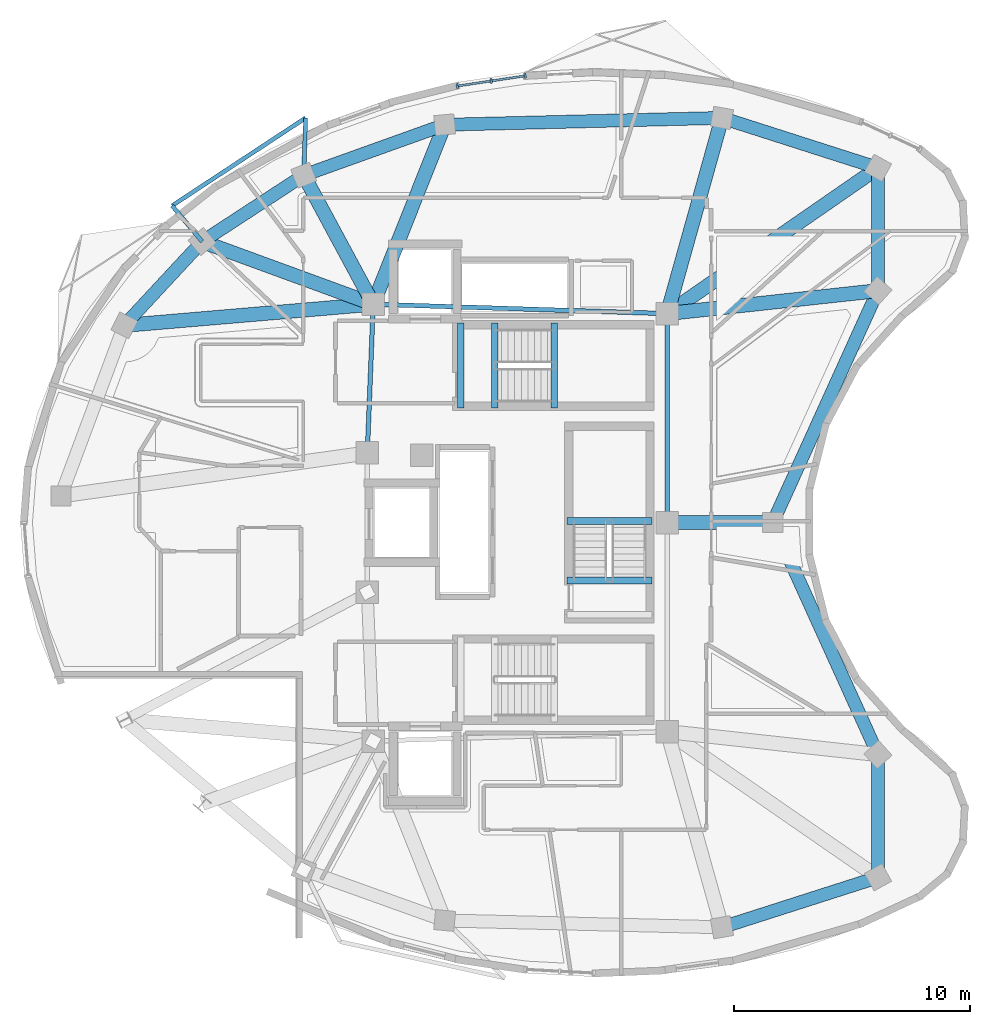
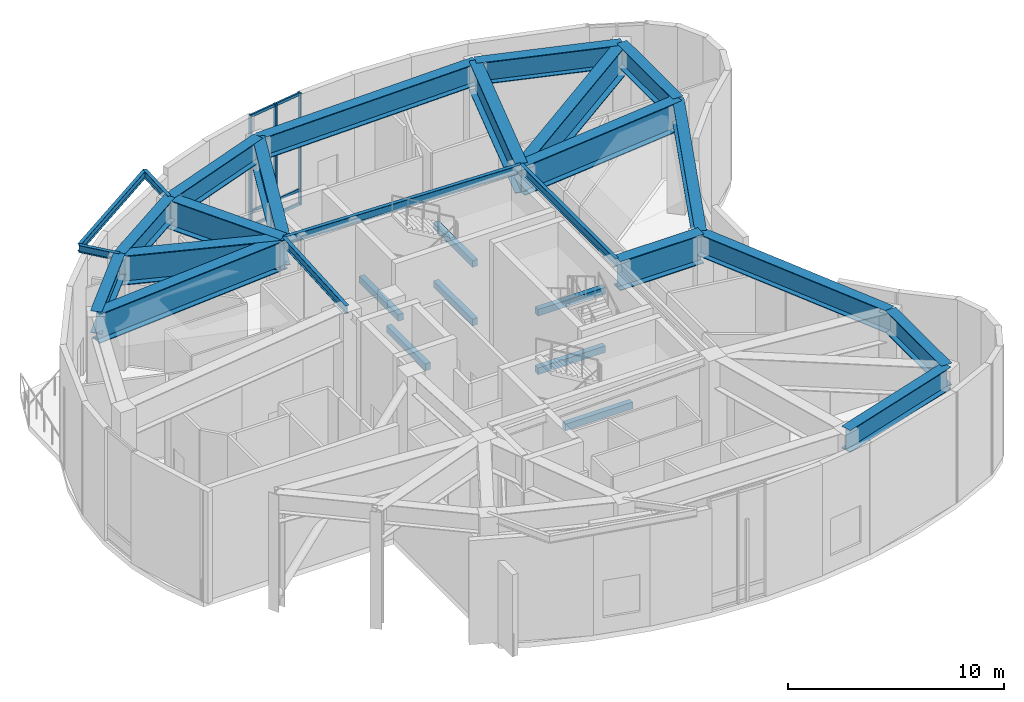
# One storey, part 3 of 12: 31 beams, 9 members, 1 element without a shape of its own.
"""IFC4 building model written with IfcOpenShell, lengths in metres."""

from ifc_helpers import new_model, si_unit, direction, frame, origin, origin_2d, place, context, subcontext, project, spatial, rectangle, i_section, extrude, material, layer, layer_set, material_profile, profile_set, type_object, element, aggregate, save


model = new_model("IFC4")

# Units and contexts
model_context = context("Model", 3, precision=1e-05, world=origin(), true_north=direction((0.0, 1.0)))
body_context = subcontext(model_context, "Body", "Model", "MODEL_VIEW")
ifc_project = project(units=[si_unit("LENGTHUNIT", "METRE"), si_unit("AREAUNIT", "SQUARE_METRE"), si_unit("VOLUMEUNIT", "CUBIC_METRE"), si_unit("PLANEANGLEUNIT", "RADIAN"), si_unit("MASSUNIT", "GRAM", prefix="KILO")], contexts=[model_context])

# Site, building, storey
site_placement = place(None, origin())
site = spatial("IfcSite", under=ifc_project, at=site_placement, CompositionType="ELEMENT")
building_placement = place(site_placement, origin())
building = spatial("IfcBuilding", under=site, at=building_placement, Name="Korentha Bioscience Tower", CompositionType="ELEMENT")
storey_placement = place(building_placement, frame((0.0, 0.0, 291.0)))
storey = spatial("IfcBuildingStorey", under=building, at=storey_placement, Name="L67", CompositionType="ELEMENT", Elevation=291.0)

# Beams
ifc_material_1 = material(Name="Concrete C50", Category="concrete")
ifc_material_profile_1 = material_profile(ifc_material_1, rectangle(XDim=0.280029296875, YDim=0.3798828125, at=origin_2d()), Name="Concrete C50")
ifc_profile_set_1 = profile_set([ifc_material_profile_1], Name="Concrete C50 (ST-HB380)")
beam_type_1 = type_object("IfcBeamType", Name="Concrete Stair Header Beam RC 280x380", PredefinedType="BEAM", material=ifc_profile_set_1)
for number, where, z_axis, x_axis, name in (
    (1, (30.25, 31.85009765625, -0.18994140625), (0.0, 1.0, 0.0), (-1.0, 0.0, 0.0), "L67 ST-1 Concrete Stair Header Beam"),
    (2, (32.77001953125, 31.85009765625, 1.4599609375), (0.0, 1.0, 0.0), (-1.0, 0.0, 0.0), "L67 ST-1 Half-Landing Header Beam 1"),
    (3, (28.800048828125, 31.85009765625, 3.110107421875), (0.0, 1.0, 0.0), (-1.0, 0.0, 0.0), "L67 ST-1 Half-Landing Header Beam 2"),
    (4, (32.77001953125, 31.85009765625, 4.760009765625), (0.0, 1.0, 0.0), (-1.0, 0.0, 0.0), "L67 ST-1 Half-Landing Header Beam 3"),
    (5, (36.89990234375, 24.550048828125, -0.18994140625), (-1.0, 0.0, 0.0), (0.0, -1.0, 0.0), "L67 ST-3 Concrete Stair Header Beam"),
    (6, (36.89990234375, 27.070068359375, 1.4599609375), (-1.0, 0.0, 0.0), (0.0, -1.0, 0.0), "L67 ST-3 Half-Landing Header Beam 1"),
    (7, (36.89990234375, 27.070068359375, 4.760009765625), (-1.0, 0.0, 0.0), (0.0, -1.0, 0.0), "L67 ST-3 Half-Landing Header Beam 3"),
):
    element("IfcBeam", number, at=place(storey_placement, frame(where, z_axis=z_axis, x_axis=x_axis)), inside=storey, type_object=beam_type_1, Name=name, PredefinedType="BEAM", context=body_context, shape_type="SweptSolid", body=[
        extrude(rectangle(XDim=0.280029296875, YDim=0.3798828125, at=origin_2d()), origin(), (0.0, 0.0, 1.0), 3.599853515625),
    ])
ifc_material_2 = material(Name="Steel S355", Category="steel")
ifc_material_profile_2 = material_profile(ifc_material_2, i_section(OverallWidth=0.550048828125, OverallDepth=1.25, WebThickness=0.02392578125, FlangeThickness=0.0400390625, at=origin_2d()), Name="Steel S355")
ifc_profile_set_2 = profile_set([ifc_material_profile_2], Name="Steel S355 (TG-03)")
beam_type_2 = type_object("IfcBeamType", Name="Crown Step Transfer Girder CVS 1250x510", PredefinedType="USERDEFINED", material=ifc_profile_set_2)
beam_1_placement = place(storey_placement, frame((46.476318359375, 42.022705078125, 5.675048828125), z_axis=(-0.952374693577, 0.304930226503, 0.0), x_axis=(-0.304930226503, -0.952374693577, 0.0)))
element("IfcBeam", 8, at=beam_1_placement, inside=storey, type_object=beam_type_2, Name="L67 Perimeter Spandrel Girder 01", ObjectType="TRANSFER_GIRDER", PredefinedType="USERDEFINED", context=body_context, shape_type="SweptSolid", body=[
    extrude(i_section(OverallWidth=0.550048828125, OverallDepth=1.25, WebThickness=0.02392578125, FlangeThickness=0.0400390625, at=origin_2d()), origin(), (0.0, 0.0, 1.0), 6.9375),
])
beam_2_placement = place(storey_placement, frame((39.869140625, 44.13818359375, 5.675048828125), z_axis=(-0.999696680128, -0.024628189974, 0.0), x_axis=(0.024628189974, -0.999696680128, 0.0)))
element("IfcBeam", 9, at=beam_2_placement, inside=storey, type_object=beam_type_2, Name="L67 Perimeter Spandrel Girder 02", ObjectType="TRANSFER_GIRDER", PredefinedType="USERDEFINED", context=body_context, shape_type="SweptSolid", body=[
    extrude(i_section(OverallWidth=0.550048828125, OverallDepth=1.25, WebThickness=0.02392578125, FlangeThickness=0.0400390625, at=origin_2d()), origin(), (0.0, 0.0, 1.0), 11.7470703125),
])
beam_3_placement = place(storey_placement, frame((28.125732421875, 43.848876953125, 5.675048828125), z_axis=(-0.941344019681, -0.337448420668, 0.0), x_axis=(0.337448420668, -0.941344019681, 0.0)))
element("IfcBeam", 10, at=beam_3_placement, inside=storey, type_object=beam_type_2, Name="L67 Perimeter Spandrel Girder 03", ObjectType="TRANSFER_GIRDER", PredefinedType="USERDEFINED", context=body_context, shape_type="SweptSolid", body=[
    extrude(i_section(OverallWidth=0.550048828125, OverallDepth=1.25, WebThickness=0.02392578125, FlangeThickness=0.0400390625, at=origin_2d()), origin(), (0.0, 0.0, 1.0), 6.340576171875),
])
beam_4_placement = place(storey_placement, frame((22.156982421875, 41.709228515625, 5.675048828125), z_axis=(-0.837370389089, -0.546635922234, 0.0), x_axis=(0.546635922234, -0.837370389089, 0.0)))
element("IfcBeam", 11, at=beam_4_placement, inside=storey, type_object=beam_type_2, Name="L67 Perimeter Spandrel Girder 04", ObjectType="TRANSFER_GIRDER", PredefinedType="USERDEFINED", context=body_context, shape_type="SweptSolid", body=[
    extrude(i_section(OverallWidth=0.550048828125, OverallDepth=1.25, WebThickness=0.02392578125, FlangeThickness=0.0400390625, at=origin_2d()), origin(), (0.0, 0.0, 1.0), 5.137451171875),
])
beam_5_placement = place(storey_placement, frame((17.85498046875, 38.90087890625, 5.675048828125), z_axis=(-0.680655927259, -0.732603240976, 0.0), x_axis=(0.732603240976, -0.680655927259, 0.0)))
element("IfcBeam", 12, at=beam_5_placement, inside=storey, type_object=beam_type_2, Name="L67 Perimeter Spandrel Girder 05", ObjectType="TRANSFER_GIRDER", PredefinedType="USERDEFINED", context=body_context, shape_type="SweptSolid", body=[
    extrude(i_section(OverallWidth=0.550048828125, OverallDepth=1.25, WebThickness=0.02392578125, FlangeThickness=0.0400390625, at=origin_2d()), origin(), (0.0, 0.0, 1.0), 4.845458984375),
])
beam_6_placement = place(storey_placement, frame((39.869140625, 9.86181640625, 5.675048828125), z_axis=(0.952374693577, 0.304930226503, 0.0), x_axis=(-0.304930226503, 0.952374693577, 0.0)))
element("IfcBeam", 13, at=beam_6_placement, inside=storey, type_object=beam_type_2, Name="L67 Perimeter Spandrel Girder 12", ObjectType="TRANSFER_GIRDER", PredefinedType="USERDEFINED", context=body_context, shape_type="SweptSolid", body=[
    extrude(i_section(OverallWidth=0.550048828125, OverallDepth=1.25, WebThickness=0.02392578125, FlangeThickness=0.0400390625, at=origin_2d()), origin(), (0.0, 0.0, 1.0), 6.9375),
])
beam_7_placement = place(storey_placement, frame((46.476318359375, 11.977294921875, 5.675048828125), z_axis=(-0.00032863848, 0.999999945998, 0.0), x_axis=(-0.999999945998, -0.00032863848, 0.0)))
element("IfcBeam", 14, at=beam_7_placement, inside=storey, type_object=beam_type_2, Name="L67 Perimeter Spandrel Girder 13", ObjectType="TRANSFER_GIRDER", PredefinedType="USERDEFINED", context=body_context, shape_type="SweptSolid", body=[
    extrude(i_section(OverallWidth=0.550048828125, OverallDepth=1.25, WebThickness=0.02392578125, FlangeThickness=0.0400390625, at=origin_2d()), origin(), (0.0, 0.0, 1.0), 5.2001953125),
])
for number, where, z_axis, x_axis, name in (
    (15, (46.474609375, 17.177490234375, 5.675048828125), (-0.413001207092, 0.910730477661, 0.0), (-0.910730477661, -0.413001207092, 0.0), "L67 Perimeter Spandrel Girder 14"),
    (16, (42.020263671875, 27.0, 5.675048828125), (0.413001207092, 0.910730477661, 0.0), (-0.910730477661, 0.413001207092, 0.0), "L67 Perimeter Spandrel Girder 15"),
):
    element("IfcBeam", number, at=place(storey_placement, frame(where, z_axis=z_axis, x_axis=x_axis)), inside=storey, type_object=beam_type_2, Name=name, ObjectType="TRANSFER_GIRDER", PredefinedType="USERDEFINED", context=body_context, shape_type="SweptSolid", body=[
        extrude(i_section(OverallWidth=0.550048828125, OverallDepth=1.25, WebThickness=0.02392578125, FlangeThickness=0.0400390625, at=origin_2d()), origin(), (0.0, 0.0, 1.0), 10.785400390625),
    ])
beam_8_placement = place(storey_placement, frame((46.474609375, 36.822509765625, 5.675048828125), z_axis=(0.00032863848, 0.999999945998, 0.0), x_axis=(-0.999999945998, 0.00032863848, 0.0)))
element("IfcBeam", 17, at=beam_8_placement, inside=storey, type_object=beam_type_2, Name="L67 Perimeter Spandrel Girder 16", ObjectType="TRANSFER_GIRDER", PredefinedType="USERDEFINED", context=body_context, shape_type="SweptSolid", body=[
    extrude(i_section(OverallWidth=0.550048828125, OverallDepth=1.25, WebThickness=0.02392578125, FlangeThickness=0.0400390625, at=origin_2d()), origin(), (0.0, 0.0, 1.0), 5.2001953125),
])
ifc_material_profile_3 = material_profile(ifc_material_2, i_section(OverallWidth=0.60009765625, OverallDepth=1.64990234375, WebThickness=0.02587890625, FlangeThickness=0.0439453125, at=origin_2d()), Name="Steel S355")
ifc_profile_set_3 = profile_set([ifc_material_profile_3], Name="Steel S355 (TG-04)")
beam_type_3 = type_object("IfcBeamType", Name="Deep Setback Transfer Girder CVS 1650x620", PredefinedType="USERDEFINED", material=ifc_profile_set_3)
beam_9_placement = place(storey_placement, frame((37.550048828125, 35.85009765625, 5.47509765625), z_axis=(0.822499007629, 0.56876654477, 0.0), x_axis=(-0.56876654477, 0.822499007629, 0.0)))
element("IfcBeam", 18, at=beam_9_placement, inside=storey, type_object=beam_type_3, Name="L67 Radial Transfer Girder 01", ObjectType="TRANSFER_GIRDER", PredefinedType="USERDEFINED", context=body_context, shape_type="SweptSolid", body=[
    extrude(i_section(OverallWidth=0.60009765625, OverallDepth=1.64990234375, WebThickness=0.02587890625, FlangeThickness=0.0439453125, at=origin_2d()), origin(), (0.0, 0.0, 1.0), 10.8525390625),
])
beam_10_placement = place(storey_placement, frame((37.550048828125, 35.85009765625, 5.47509765625), z_axis=(0.269460517512, 0.963011437888, 0.0), x_axis=(-0.963011437888, 0.269460517512, 0.0)))
element("IfcBeam", 19, at=beam_10_placement, inside=storey, type_object=beam_type_3, Name="L67 Radial Transfer Girder 02", ObjectType="TRANSFER_GIRDER", PredefinedType="USERDEFINED", context=body_context, shape_type="SweptSolid", body=[
    extrude(i_section(OverallWidth=0.60009765625, OverallDepth=1.64990234375, WebThickness=0.02587890625, FlangeThickness=0.0439453125, at=origin_2d()), origin(), (0.0, 0.0, 1.0), 8.6064453125),
])
beam_11_placement = place(storey_placement, frame((25.10009765625, 36.25, 5.47509765625), z_axis=(0.369923475736, 0.929062227248, 0.0), x_axis=(-0.929062227248, 0.369923475736, 0.0)))
element("IfcBeam", 20, at=beam_11_placement, inside=storey, type_object=beam_type_3, Name="L67 Radial Transfer Girder 03", ObjectType="TRANSFER_GIRDER", PredefinedType="USERDEFINED", context=body_context, shape_type="SweptSolid", body=[
    extrude(i_section(OverallWidth=0.60009765625, OverallDepth=1.64990234375, WebThickness=0.02587890625, FlangeThickness=0.0439453125, at=origin_2d()), origin(), (0.0, 0.0, 1.0), 8.17919921875),
])
beam_12_placement = place(storey_placement, frame((25.10009765625, 36.25, 5.47509765625), z_axis=(-0.474541081143, 0.880233356734, 0.0), x_axis=(-0.880233356734, -0.474541081143, 0.0)))
element("IfcBeam", 21, at=beam_12_placement, inside=storey, type_object=beam_type_3, Name="L67 Radial Transfer Girder 04", ObjectType="TRANSFER_GIRDER", PredefinedType="USERDEFINED", context=body_context, shape_type="SweptSolid", body=[
    extrude(i_section(OverallWidth=0.60009765625, OverallDepth=1.64990234375, WebThickness=0.02587890625, FlangeThickness=0.0439453125, at=origin_2d()), origin(), (0.0, 0.0, 1.0), 6.201904296875),
])
beam_13_placement = place(storey_placement, frame((25.10009765625, 36.25, 5.47509765625), z_axis=(-0.939113387984, 0.343607398798, 0.0), x_axis=(-0.343607398798, -0.939113387984, 0.0)))
element("IfcBeam", 22, at=beam_13_placement, inside=storey, type_object=beam_type_3, Name="L67 Radial Transfer Girder 05", ObjectType="TRANSFER_GIRDER", PredefinedType="USERDEFINED", context=body_context, shape_type="SweptSolid", body=[
    extrude(i_section(OverallWidth=0.60009765625, OverallDepth=1.64990234375, WebThickness=0.02587890625, FlangeThickness=0.0439453125, at=origin_2d()), origin(), (0.0, 0.0, 1.0), 7.71484375),
])
beam_14_placement = place(storey_placement, frame((25.10009765625, 36.25, 5.47509765625), z_axis=(-0.996384971169, -0.084952864741, 0.0), x_axis=(0.084952864741, -0.996384971169, 0.0)))
element("IfcBeam", 23, at=beam_14_placement, inside=storey, type_object=beam_type_3, Name="L67 Radial Transfer Girder 06", ObjectType="TRANSFER_GIRDER", PredefinedType="USERDEFINED", context=body_context, shape_type="SweptSolid", body=[
    extrude(i_section(OverallWidth=0.60009765625, OverallDepth=1.64990234375, WebThickness=0.02587890625, FlangeThickness=0.0439453125, at=origin_2d()), origin(), (0.0, 0.0, 1.0), 10.58154296875),
])
beam_15_placement = place(storey_placement, frame((37.550048828125, 27.0, 5.47509765625), z_axis=(1.0, 0.0, 0.0), x_axis=(0.0, 1.0, 0.0)))
element("IfcBeam", 24, at=beam_15_placement, inside=storey, type_object=beam_type_3, Name="L67 Radial Transfer Girder 15", ObjectType="TRANSFER_GIRDER", PredefinedType="USERDEFINED", context=body_context, shape_type="SweptSolid", body=[
    extrude(i_section(OverallWidth=0.60009765625, OverallDepth=1.64990234375, WebThickness=0.02587890625, FlangeThickness=0.0439453125, at=origin_2d()), origin(), (0.0, 0.0, 1.0), 4.47021484375),
])
beam_16_placement = place(storey_placement, frame((37.550048828125, 35.85009765625, 5.47509765625), z_axis=(0.994116294337, 0.108318019432, 0.0), x_axis=(-0.108318019432, 0.994116294337, 0.0)))
element("IfcBeam", 25, at=beam_16_placement, inside=storey, type_object=beam_type_3, Name="L67 Radial Transfer Girder 16", ObjectType="TRANSFER_GIRDER", PredefinedType="USERDEFINED", context=body_context, shape_type="SweptSolid", body=[
    extrude(i_section(OverallWidth=0.60009765625, OverallDepth=1.64990234375, WebThickness=0.02587890625, FlangeThickness=0.0439453125, at=origin_2d()), origin(), (0.0, 0.0, 1.0), 8.977294921875),
])
ifc_material_profile_4 = material_profile(ifc_material_2, i_section(OverallWidth=0.18994140625, OverallDepth=0.45703125, WebThickness=0.009033203125, FlangeThickness=0.014404296875, at=origin_2d()), Name="Steel S355")
ifc_profile_set_4 = profile_set([ifc_material_profile_4], Name="Steel S355 (MB-460)")
beam_type_4 = type_object("IfcBeamType", Name="Mid-Ring Tie Girder W460x74", PredefinedType="BEAM", material=ifc_profile_set_4)
beam_17_placement = place(storey_placement, frame((37.550048828125, 35.85009765625, 6.071533203125), z_axis=(-0.999484526071, 0.032104238723, 0.0), x_axis=(-0.032104238723, -0.999484526071, 0.0)))
element("IfcBeam", 26, at=beam_17_placement, inside=storey, type_object=beam_type_4, Name="L67 Core Ring Tie Girder 01", PredefinedType="BEAM", context=body_context, shape_type="SweptSolid", body=[
    extrude(i_section(OverallWidth=0.18994140625, OverallDepth=0.45703125, WebThickness=0.009033203125, FlangeThickness=0.014404296875, at=origin_2d()), origin(), (0.0, 0.0, 1.0), 12.456298828125),
])
beam_18_placement = place(storey_placement, frame((25.10009765625, 36.25, 6.071533203125), z_axis=(-0.039651025576, -0.999213588864, 0.0), x_axis=(0.999213588864, -0.039651025576, 0.0)))
element("IfcBeam", 27, at=beam_18_placement, inside=storey, type_object=beam_type_4, Name="L67 Core Ring Tie Girder 02", PredefinedType="BEAM", context=body_context, shape_type="SweptSolid", body=[
    extrude(i_section(OverallWidth=0.18994140625, OverallDepth=0.45703125, WebThickness=0.009033203125, FlangeThickness=0.014404296875, at=origin_2d()), origin(), (0.0, 0.0, 1.0), 6.304931640625),
])
beam_19_placement = place(storey_placement, frame((37.550048828125, 27.0, 6.071533203125), z_axis=(0.0, 1.0, 0.0), x_axis=(-1.0, 0.0, 0.0)))
element("IfcBeam", 28, at=beam_19_placement, inside=storey, type_object=beam_type_4, Name="L67 Core Ring Tie Girder 07", PredefinedType="BEAM", context=body_context, shape_type="SweptSolid", body=[
    extrude(i_section(OverallWidth=0.18994140625, OverallDepth=0.45703125, WebThickness=0.009033203125, FlangeThickness=0.014404296875, at=origin_2d()), origin(), (0.0, 0.0, 1.0), 8.85009765625),
])

# Curtain wall, members
ifc_material_3 = material(Name="Thermally Broken Aluminium Frame", Category="aluminium")
ifc_layer = layer(ifc_material_3, 0.219970703125, Name="Thermally Broken Aluminium Frame")
ifc_layer_set = layer_set([ifc_layer], Name="Thermally Broken Aluminium Frame (CW-T1)")
curtain_wall_type = type_object("IfcCurtainWallType", Name="Standard Bioscience Lab Unitised Curtain Wall CW-T1", PredefinedType="USERDEFINED", material=ifc_layer_set)
curtain_wall_placement = place(storey_placement, origin())
curtain_wall = element("IfcCurtainWall", 29, at=curtain_wall_placement, inside=storey, type_object=curtain_wall_type, Name="L67 Curtain Wall 07", ObjectType="UNITISED", PredefinedType="USERDEFINED")
ifc_material_4 = material(Name="Anodised Aluminium 6063-T6", Category="aluminium")
ifc_material_profile_5 = material_profile(ifc_material_4, rectangle(XDim=0.090087890625, YDim=0.199951171875, at=origin_2d()), Name="Anodised Aluminium 6063-T6")
ifc_profile_set_5 = profile_set([ifc_material_profile_5], Name="Anodised Aluminium 6063-T6 (CW-MUL)")
member_type_1 = type_object("IfcMemberType", Name="Mullion RECT 90x200", PredefinedType="MULLION", material=ifc_profile_set_5)
member_1_placement = place(storey_placement, frame((31.537353515625, 45.917724609375, 0.0), z_axis=(0.0, 0.0, 1.0), x_axis=(-0.98900659611, -0.147871406471, 0.0)))
member_1 = element("IfcMember", 30, at=member_1_placement, type_object=member_type_1, Name="CW-L67-07 Mullion 1", PredefinedType="MULLION", context=body_context, shape_type="SweptSolid", body=[
    extrude(rectangle(XDim=0.090087890625, YDim=0.199951171875, at=origin_2d()), origin(), (0.0, 0.0, 1.0), 6.300048828125),
])
member_2_placement = place(storey_placement, frame((30.09716796875, 45.702392578125, 0.0), z_axis=(0.0, 0.0, 1.0), x_axis=(-0.98900659611, -0.147871406471, 0.0)))
member_2 = element("IfcMember", 31, at=member_2_placement, type_object=member_type_1, Name="CW-L67-07 Mullion 2", PredefinedType="MULLION", context=body_context, shape_type="SweptSolid", body=[
    extrude(rectangle(XDim=0.090087890625, YDim=0.199951171875, at=origin_2d()), origin(), (0.0, 0.0, 1.0), 6.300048828125),
])
member_3_placement = place(storey_placement, frame((28.65673828125, 45.487060546875, 0.0), z_axis=(0.0, 0.0, 1.0), x_axis=(-0.98900659611, -0.147871406471, 0.0)))
member_3 = element("IfcMember", 32, at=member_3_placement, type_object=member_type_1, Name="CW-L67-07 Mullion 3", PredefinedType="MULLION", context=body_context, shape_type="SweptSolid", body=[
    extrude(rectangle(XDim=0.090087890625, YDim=0.199951171875, at=origin_2d()), origin(), (0.0, 0.0, 1.0), 6.300048828125),
])

# Beams
ifc_material_profile_6 = material_profile(ifc_material_2, i_section(OverallWidth=0.177978515625, OverallDepth=0.406982421875, WebThickness=0.0078125, FlangeThickness=0.0126953125, at=origin_2d()), Name="Steel S355")
ifc_profile_set_6 = profile_set([ifc_material_profile_6], Name="Steel S355 (CB-410)")
beam_type_5 = type_object("IfcBeamType", Name="Sun-Ledge Cantilever Beam W410x60", PredefinedType="BEAM", material=ifc_profile_set_6)
beam_20_placement = place(storey_placement, frame((22.156982421875, 41.709228515625, 6.098388671875), z_axis=(0.033057222134, 0.99945346068, 0.0), x_axis=(-0.99945346068, 0.033057222134, 0.0)))
element("IfcBeam", 33, at=beam_20_placement, inside=storey, type_object=beam_type_5, Name="L67 Balcony Cantilever Bracket A-L68-01", PredefinedType="BEAM", context=body_context, shape_type="SweptSolid", body=[
    extrude(i_section(OverallWidth=0.177978515625, OverallDepth=0.406982421875, WebThickness=0.0078125, FlangeThickness=0.0126953125, at=origin_2d()), origin(), (0.0, 0.0, 1.0), 2.4296875),
])
beam_21_placement = place(storey_placement, frame((17.85498046875, 38.90087890625, 6.098388671875), z_axis=(-0.641250570182, 0.767331549098, 0.0), x_axis=(-0.767331549098, -0.641250570182, 0.0)))
element("IfcBeam", 34, at=beam_21_placement, inside=storey, type_object=beam_type_5, Name="L67 Balcony Cantilever Bracket B-L68-01", PredefinedType="BEAM", context=body_context, shape_type="SweptSolid", body=[
    extrude(i_section(OverallWidth=0.177978515625, OverallDepth=0.406982421875, WebThickness=0.0078125, FlangeThickness=0.0126953125, at=origin_2d()), origin(), (0.0, 0.0, 1.0), 1.98095703125),
])
beam_22_placement = place(storey_placement, frame((22.2373046875, 44.1376953125, 6.098388671875), z_axis=(-0.835553543353, -0.549409024489, 0.0), x_axis=(0.549409024489, -0.835553543353, 0.0)))
element("IfcBeam", 35, at=beam_22_placement, inside=storey, type_object=beam_type_5, Name="L67 Balcony Edge Trimmer Beam L68-01", PredefinedType="BEAM", context=body_context, shape_type="SweptSolid", body=[
    extrude(i_section(OverallWidth=0.177978515625, OverallDepth=0.406982421875, WebThickness=0.0078125, FlangeThickness=0.0126953125, at=origin_2d()), origin(), (0.0, 0.0, 1.0), 6.76513671875),
])

# Member
ifc_material_profile_7 = material_profile(ifc_material_4, rectangle(XDim=0.090087890625, YDim=0.159912109375, at=origin_2d()), Name="Anodised Aluminium 6063-T6")
ifc_profile_set_7 = profile_set([ifc_material_profile_7], Name="Anodised Aluminium 6063-T6 (CW-TRN)")
member_type_2 = type_object("IfcMemberType", Name="Transom RECT 90x160", PredefinedType="USERDEFINED", material=ifc_profile_set_7)
member_4_placement = place(storey_placement, frame((31.492919921875, 45.9111328125, 0.044921875), z_axis=(-0.988995252299, -0.147947257255, 0.0), x_axis=(0.147947257255, -0.988995252299, 0.0)))
member_4 = element("IfcMember", 36, at=member_4_placement, type_object=member_type_2, Name="CW-L67-07 Bay 1 Transom 1", ObjectType="TRANSOM", PredefinedType="USERDEFINED", context=body_context, shape_type="SweptSolid", body=[
    extrude(rectangle(XDim=0.090087890625, YDim=0.159912109375, at=origin_2d()), origin(), (0.0, 0.0, 1.0), 1.366455078125),
])

member_5_placement = place(storey_placement, frame((31.492919921875, 45.9111328125, 0.85009765625), z_axis=(-0.988995252299, -0.147947257255, 0.0), x_axis=(0.147947257255, -0.988995252299, 0.0)))
member_5 = element("IfcMember", 37, at=member_5_placement, type_object=member_type_2, Name="CW-L67-07 Bay 1 Transom 2", ObjectType="TRANSOM", PredefinedType="USERDEFINED", context=body_context, shape_type="SweptSolid", body=[
    extrude(rectangle(XDim=0.090087890625, YDim=0.159912109375, at=origin_2d()), origin(), (0.0, 0.0, 1.0), 1.366455078125),
])

member_6_placement = place(storey_placement, frame((31.492919921875, 45.9111328125, 6.2548828125), z_axis=(-0.988995252299, -0.147947257255, 0.0), x_axis=(0.147947257255, -0.988995252299, 0.0)))
member_6 = element("IfcMember", 38, at=member_6_placement, type_object=member_type_2, Name="CW-L67-07 Bay 1 Transom 3", ObjectType="TRANSOM", PredefinedType="USERDEFINED", context=body_context, shape_type="SweptSolid", body=[
    extrude(rectangle(XDim=0.090087890625, YDim=0.159912109375, at=origin_2d()), origin(), (0.0, 0.0, 1.0), 1.366455078125),
])

member_7_placement = place(storey_placement, frame((30.052490234375, 45.69580078125, 0.044921875), z_axis=(-0.988991340239, -0.147973406165, 0.0), x_axis=(0.147973406165, -0.988991340239, 0.0)))
member_7 = element("IfcMember", 39, at=member_7_placement, type_object=member_type_2, Name="CW-L67-07 Bay 2 Transom 1", ObjectType="TRANSOM", PredefinedType="USERDEFINED", context=body_context, shape_type="SweptSolid", body=[
    extrude(rectangle(XDim=0.090087890625, YDim=0.159912109375, at=origin_2d()), origin(), (0.0, 0.0, 1.0), 1.3662109375),
])

member_8_placement = place(storey_placement, frame((30.052490234375, 45.69580078125, 0.85009765625), z_axis=(-0.988991340239, -0.147973406165, 0.0), x_axis=(0.147973406165, -0.988991340239, 0.0)))
member_8 = element("IfcMember", 40, at=member_8_placement, type_object=member_type_2, Name="CW-L67-07 Bay 2 Transom 2", ObjectType="TRANSOM", PredefinedType="USERDEFINED", context=body_context, shape_type="SweptSolid", body=[
    extrude(rectangle(XDim=0.090087890625, YDim=0.159912109375, at=origin_2d()), origin(), (0.0, 0.0, 1.0), 1.3662109375),
])

member_9_placement = place(storey_placement, frame((30.052490234375, 45.69580078125, 6.2548828125), z_axis=(-0.988991340239, -0.147973406165, 0.0), x_axis=(0.147973406165, -0.988991340239, 0.0)))
member_9 = element("IfcMember", 41, at=member_9_placement, type_object=member_type_2, Name="CW-L67-07 Bay 2 Transom 3", ObjectType="TRANSOM", PredefinedType="USERDEFINED", context=body_context, shape_type="SweptSolid", body=[
    extrude(rectangle(XDim=0.090087890625, YDim=0.159912109375, at=origin_2d()), origin(), (0.0, 0.0, 1.0), 1.3662109375),
])

aggregate(curtain_wall, [member_1, member_2, member_3, member_4, member_5, member_6, member_7, member_8, member_9])

save(model, "model.ifc")
